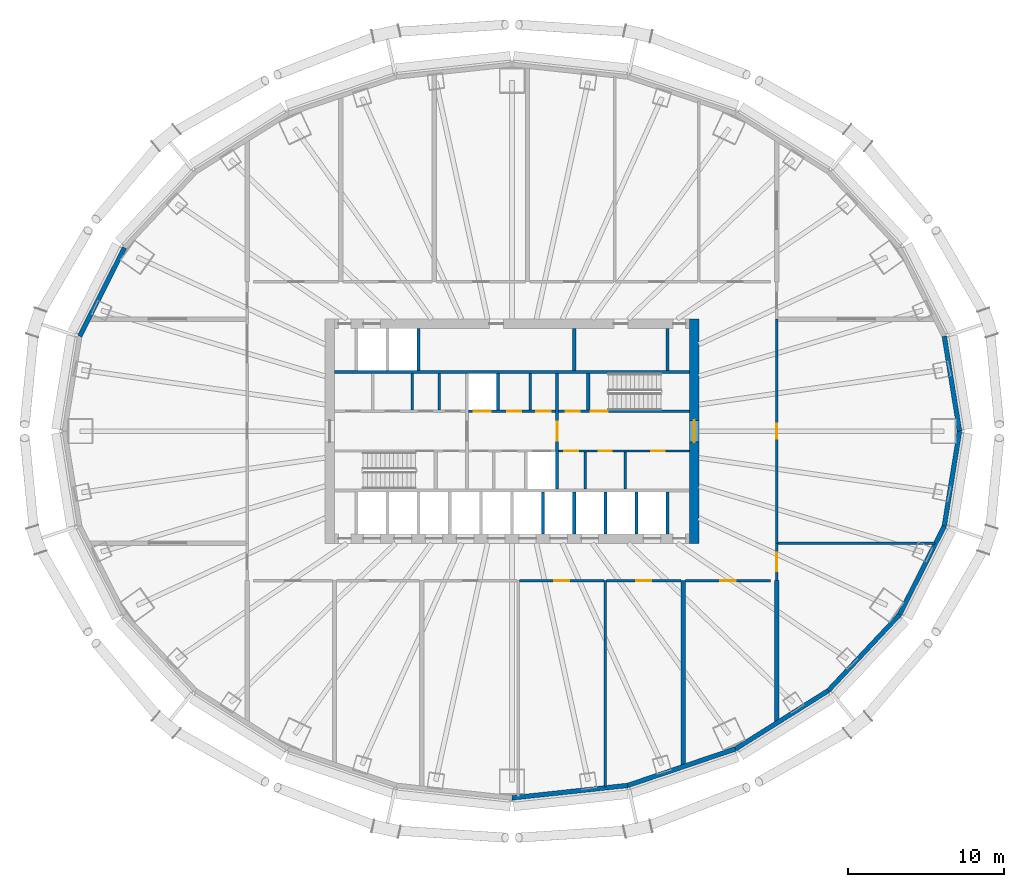
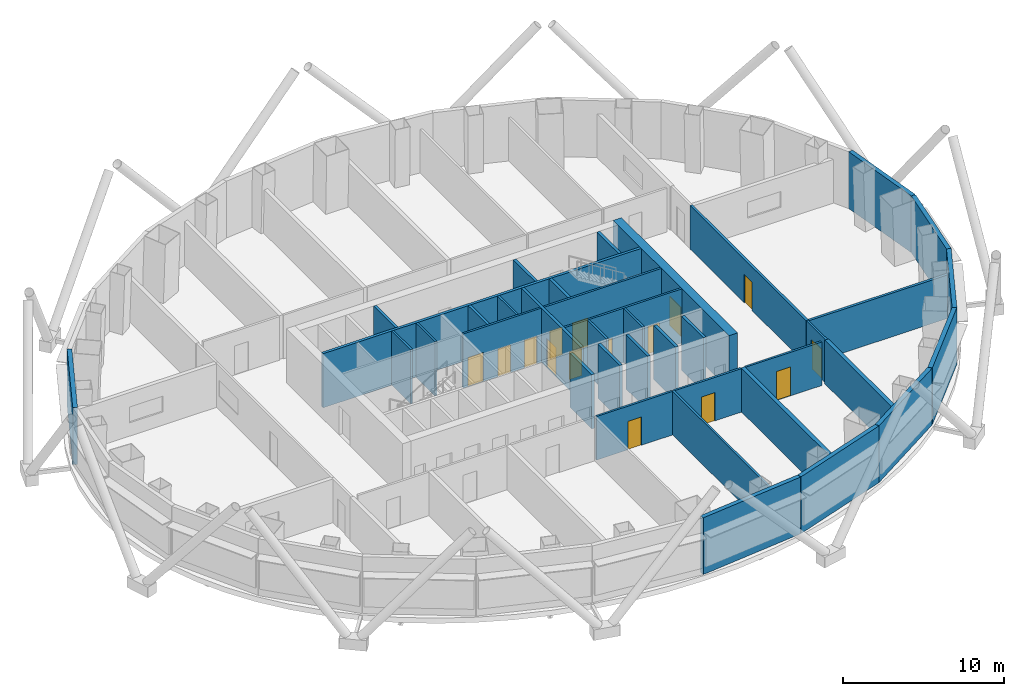
# One storey, part 5 of 14: 38 walls, 15 doors, 15 openings.
"""IFC4 building model written with IfcOpenShell, lengths in metres."""

from ifc_helpers import new_model, si_unit, direction, frame, frame_2d, origin, place, context, subcontext, project, spatial, rectangle, extrude, material, layer, layer_set, type_object, element, fill, save


model = new_model("IFC4")

# Units and contexts
model_context = context("Model", 3, precision=1e-05, world=origin(), true_north=direction((0.0, 1.0)))
body_context = subcontext(model_context, "Body", "Model", "MODEL_VIEW")
ifc_project = project(units=[si_unit("LENGTHUNIT", "METRE"), si_unit("AREAUNIT", "SQUARE_METRE"), si_unit("VOLUMEUNIT", "CUBIC_METRE"), si_unit("PLANEANGLEUNIT", "RADIAN"), si_unit("MASSUNIT", "GRAM", prefix="KILO")], contexts=[model_context])

# Site, building, storey
site_placement = place(None, origin())
site = spatial("IfcSite", under=ifc_project, at=site_placement, CompositionType="ELEMENT")
building_placement = place(site_placement, origin())
building = spatial("IfcBuilding", under=site, at=building_placement, Name="Siaravel Broadcast Tower", CompositionType="ELEMENT")
storey_placement = place(building_placement, frame((0.0, 0.0, 20.0)))
storey = spatial("IfcBuildingStorey", under=building, at=storey_placement, Name="L03", CompositionType="ELEMENT", Elevation=20.0)

# Walls
ifc_material_1 = material(Name="Double-leaf acoustic partition", Category="gypsum")
ifc_layer_1 = layer(ifc_material_1, 0.280029296875)
ifc_layer_set_1 = layer_set([ifc_layer_1], Name="Double-leaf acoustic partition")
wall_type_1 = type_object("IfcWallType", Name="Acoustic double-leaf wall 280", PredefinedType="PARTITIONING", material=ifc_layer_set_1)
wall_1_placement = place(storey_placement, frame((11.0, -21.56201171875, 0.0), z_axis=(0.0, 0.0, 1.0), x_axis=(0.0, 1.0, 0.0)))
element("IfcWall", 1, at=wall_1_placement, inside=storey, type_object=wall_type_1, Name="L03 partition 10", PredefinedType="PARTITIONING", context=body_context, shape_type="SweptSolid", body=[
    extrude(rectangle(XDim=11.9619140625, YDim=0.280029296875, at=frame_2d((5.98095703125, 0.0))), origin(), (0.0, 0.0, 1.0), 3.300048828125),
])
wall_2_placement = place(storey_placement, frame((17.0, -18.776611328125, 0.0), z_axis=(0.0, 0.0, 1.0), x_axis=(0.0, 1.0, 0.0)))
element("IfcWall", 2, at=wall_2_placement, inside=storey, type_object=wall_type_1, Name="L03 partition 17", PredefinedType="PARTITIONING", context=body_context, shape_type="SweptSolid", body=[
    extrude(rectangle(XDim=9.188720703125, YDim=0.280029296875, at=frame_2d((4.59423828125, 0.0))), origin(), (0.0, 0.0, 1.0), 3.300048828125),
])
ifc_material_2 = material(Name="Concrete C40/50", Category="concrete")
ifc_layer_2 = layer(ifc_material_2, 0.300048828125)
ifc_layer_set_2 = layer_set([ifc_layer_2], Name="Concrete C40/50")
wall_type_2 = type_object("IfcWallType", Name="Acoustic studio wall", PredefinedType="STANDARD", material=ifc_layer_set_2)
wall_3_placement = place(storey_placement, frame((28.74951171875, 0.0, 0.0), z_axis=(0.0, 0.0, 1.0), x_axis=(-0.15869942, 0.987326944, 0.0)))
element("IfcWall", 3, at=wall_3_placement, inside=storey, type_object=wall_type_2, Name="L03 studio acoustic wall 01", PredefinedType="STANDARD", context=body_context, shape_type="SweptSolid", body=[
    extrude(rectangle(XDim=6.17822265625, YDim=0.300048828125, at=frame_2d((3.089111328125, 0.0))), origin(), (0.0, 0.0, 1.0), 4.300048828125),
])
wall_4_placement = place(storey_placement, frame((-24.8955078125, 11.782958984375, 0.0), z_axis=(0.0, 0.0, 1.0), x_axis=(-0.451226804, -0.892409307, 0.0)))
element("IfcWall", 4, at=wall_4_placement, inside=storey, type_object=wall_type_2, Name="L03 studio acoustic wall 11", PredefinedType="STANDARD", context=body_context, shape_type="SweptSolid", body=[
    extrude(rectangle(XDim=6.3681640625, YDim=0.300048828125, at=frame_2d((3.18408203125, 0.0))), origin(), (0.0, 0.0, 1.0), 4.300048828125),
])
wall_5_placement = place(storey_placement, frame((0.0, -23.55810546875, 0.0), z_axis=(0.0, 0.0, 1.0), x_axis=(0.994234721, 0.10722555, 0.0)))
element("IfcWall", 5, at=wall_5_placement, inside=storey, type_object=wall_type_2, Name="L03 studio acoustic wall 19", PredefinedType="STANDARD", context=body_context, shape_type="SweptSolid", body=[
    extrude(rectangle(XDim=7.48193359375, YDim=0.300048828125, at=frame_2d((3.740966796875, 0.0))), origin(), (0.0, 0.0, 1.0), 4.300048828125),
])
wall_6_placement = place(storey_placement, frame((7.438720703125, -22.755859375, 0.0), z_axis=(0.0, 0.0, 1.0), x_axis=(0.946978882, 0.321295811, 0.0)))
element("IfcWall", 6, at=wall_6_placement, inside=storey, type_object=wall_type_2, Name="L03 studio acoustic wall 20", PredefinedType="STANDARD", context=body_context, shape_type="SweptSolid", body=[
    extrude(rectangle(XDim=7.320556640625, YDim=0.300048828125, at=frame_2d((3.66015625, 0.0))), origin(), (0.0, 0.0, 1.0), 4.300048828125),
])
wall_7_placement = place(storey_placement, frame((14.37109375, -20.40380859375, 0.0), z_axis=(0.0, 0.0, 1.0), x_axis=(0.846645934, 0.532156615, 0.0)))
element("IfcWall", 7, at=wall_7_placement, inside=storey, type_object=wall_type_2, Name="L03 studio acoustic wall 21", PredefinedType="STANDARD", context=body_context, shape_type="SweptSolid", body=[
    extrude(rectangle(XDim=7.032470703125, YDim=0.300048828125, at=frame_2d((3.51611328125, 0.0))), origin(), (0.0, 0.0, 1.0), 4.300048828125),
])
wall_8_placement = place(storey_placement, frame((20.3251953125, -16.661376953125, 0.0), z_axis=(0.0, 0.0, 1.0), x_axis=(0.683685967, 0.729776335, 0.0)))
element("IfcWall", 8, at=wall_8_placement, inside=storey, type_object=wall_type_2, Name="L03 studio acoustic wall 22", PredefinedType="STANDARD", context=body_context, shape_type="SweptSolid", body=[
    extrude(rectangle(XDim=6.684814453125, YDim=0.300048828125, at=frame_2d((3.34228515625, 0.0))), origin(), (0.0, 0.0, 1.0), 4.300048828125),
])
wall_9_placement = place(storey_placement, frame((24.8955078125, -11.782958984375, 0.0), z_axis=(0.0, 0.0, 1.0), x_axis=(0.451226804, 0.892409307, 0.0)))
element("IfcWall", 9, at=wall_9_placement, inside=storey, type_object=wall_type_2, Name="L03 studio acoustic wall 23", PredefinedType="STANDARD", context=body_context, shape_type="SweptSolid", body=[
    extrude(rectangle(XDim=6.3681640625, YDim=0.300048828125, at=frame_2d((3.18408203125, 0.0))), origin(), (0.0, 0.0, 1.0), 4.300048828125),
])
wall_10_placement = place(storey_placement, frame((27.76904296875, -6.099853515625, 0.0), z_axis=(0.0, 0.0, 1.0), x_axis=(0.15869942, 0.987326944, 0.0)))
element("IfcWall", 10, at=wall_10_placement, inside=storey, type_object=wall_type_2, Name="L03 studio acoustic wall 24", PredefinedType="STANDARD", context=body_context, shape_type="SweptSolid", body=[
    extrude(rectangle(XDim=6.17822265625, YDim=0.300048828125, at=frame_2d((3.089111328125, 0.0))), origin(), (0.0, 0.0, 1.0), 4.300048828125),
])
ifc_material_3 = material(Name="Concrete blockwork", Category="masonry")
ifc_layer_3 = layer(ifc_material_3, 0.14990234375)
ifc_layer_set_3 = layer_set([ifc_layer_3], Name="Concrete blockwork")
wall_type_3 = type_object("IfcWallType", Name="Core partition 150", PredefinedType="PARTITIONING", material=ifc_layer_set_3)
for number, where, z_axis, x_axis, name in (
    (11, (-6.405029296875, 1.35009765625, 0.0), (0.0, 0.0, 1.0), (0.0, 1.0, 0.0), "L03 core partition PNW1"),
    (12, (-4.6650390625, 1.35009765625, 0.0), (0.0, 0.0, 1.0), (0.0, 1.0, 0.0), "L03 core partition PNW2"),
    (13, (4.695068359375, -3.699951171875, 0.0), (0.0, 0.0, 1.0), (0.0, 1.0, 0.0), "L03 core partition PSE0"),
    (14, (7.27490234375, -3.699951171875, 0.0), (0.0, 0.0, 1.0), (0.0, 1.0, 0.0), "L03 core partition PSE1"),
    (15, (1.172607421875, 1.35009765625, 0.0), (0.0, 0.0, 1.0), (0.0, 1.0, 0.0), "L03 core partition PNM0"),
):
    element("IfcWall", number, at=place(storey_placement, frame(where, z_axis=z_axis, x_axis=x_axis)), inside=storey, type_object=wall_type_3, Name=name, PredefinedType="PARTITIONING", context=body_context, shape_type="SweptSolid", body=[
        extrude(rectangle(XDim=2.349853515625, YDim=0.14990234375, at=frame_2d((1.1748046875, 0.0))), origin(), (0.0, 0.0, 1.0), 4.10009765625),
    ])
ifc_layer_4 = layer(ifc_material_3, 0.199951171875)
ifc_layer_set_4 = layer_set([ifc_layer_4], Name="Concrete blockwork")
wall_type_4 = type_object("IfcWallType", Name="Core partition 200", PredefinedType="PARTITIONING", material=ifc_layer_set_4)
wall_11_placement = place(storey_placement, frame((4.0, 3.89990234375, 0.0), z_axis=(0.0, 0.0, 1.0), x_axis=(0.0, 1.0, 0.0)))
element("IfcWall", 16, at=wall_11_placement, inside=storey, type_object=wall_type_4, Name="L03 core partition PFN2", PredefinedType="PARTITIONING", context=body_context, shape_type="SweptSolid", body=[
    extrude(rectangle(XDim=2.7001953125, YDim=0.199951171875, at=frame_2d((1.35009765625, 0.0))), origin(), (0.0, 0.0, 1.0), 4.10009765625),
])

# Wall, opening, door
ifc_material_4 = material(Name="Concrete C60/75", Category="concrete")
ifc_layer_5 = layer(ifc_material_4, 0.60009765625)
ifc_layer_set_5 = layer_set([ifc_layer_5], Name="Concrete C60/75")
wall_type_5 = type_object("IfcWallType", Name="Core wall 600", PredefinedType="SHEAR", material=ifc_layer_set_5)
wall_12_placement = place(storey_placement, frame((11.699951171875, -7.199951171875, 0.0), z_axis=(0.0, 0.0, 1.0), x_axis=(0.0, 1.0, 0.0)))
wall_12 = element("IfcWall", 17, at=wall_12_placement, inside=storey, type_object=wall_type_5, Name="L03 core wall OE", PredefinedType="SHEAR", context=body_context, shape_type="SweptSolid", body=[
    extrude(rectangle(XDim=14.39990234375, YDim=0.60009765625, at=frame_2d((7.199951171875, 0.0))), origin(), (0.0, 0.0, 1.0), 4.10009765625),
])
opening_1_placement = place(wall_12_placement, frame((6.5, 0.0, 0.0)))
opening_1 = element("IfcOpeningElement", 18, at=opening_1_placement, cuts=wall_12, Name="Opening L03-DX-E", PredefinedType="OPENING", context=body_context, shape_type="SweptSolid", body=[
    extrude(rectangle(XDim=1.39990234375, YDim=2.199951171875, at=frame_2d((0.699951171875, 1.10009765625))), frame((0.0, 0.31005859375, 0.0), z_axis=(0.0, -1.0, 0.0), x_axis=(1.0, 0.0, 0.0)), (0.0, 0.0, 1.0), 0.6201171875),
])
ifc_material_5 = material(Name="Steel", Category="steel")
door_type_1 = type_object("IfcDoorType", Name="Core exit door 1400", OperationType="DOUBLE_DOOR_SINGLE_SWING", PredefinedType="DOOR", material=ifc_material_5)
door_1_placement = place(opening_1_placement, origin())
door_1 = element("IfcDoor", 19, at=door_1_placement, inside=storey, type_object=door_type_1, Name="L03 door DX-E", OperationType="DOUBLE_DOOR_SINGLE_SWING", OverallHeight=2.199951171875, OverallWidth=1.39990234375, PredefinedType="DOOR", context=body_context, shape_type="SweptSolid", body=[
    extrude(rectangle(XDim=1.39990234375, YDim=2.199951171875, at=frame_2d((0.699951171875, 1.10009765625))), frame((0.0, 0.02490234375, 0.0), z_axis=(0.0, -1.0, 0.0), x_axis=(1.0, 0.0, 0.0)), (0.0, 0.0, 1.0), 0.050048828125),
])
fill(opening_1, door_1)

# Wall, openings, doors
ifc_material_6 = material(Name="Gypsum board partition", Category="gypsum")
ifc_layer_6 = layer(ifc_material_6, 0.14990234375)
ifc_layer_set_6 = layer_set([ifc_layer_6], Name="Gypsum board partition")
wall_type_6 = type_object("IfcWallType", Name="Corridor wall 150", PredefinedType="PARTITIONING", material=ifc_layer_set_6)
wall_13_placement = place(storey_placement, frame((3.0, -1.27490234375, 0.0), z_axis=(0.0, 0.0, 1.0), x_axis=(1.0, 0.0, 0.0)))
wall_13 = element("IfcWall", 20, at=wall_13_placement, inside=storey, type_object=wall_type_6, Name="L03 core partition CSE", PredefinedType="PARTITIONING", context=body_context, shape_type="SweptSolid", body=[
    extrude(rectangle(XDim=8.39990234375, YDim=0.14990234375, at=frame_2d((4.199951171875, 0.0))), origin(), (0.0, 0.0, 1.0), 4.10009765625),
])
opening_2_placement = place(wall_13_placement, frame((0.360107421875, 0.0, 0.0)))
opening_2 = element("IfcOpeningElement", 21, at=opening_2_placement, cuts=wall_13, Name="Opening L03-DSE0", PredefinedType="OPENING", context=body_context, shape_type="SweptSolid", body=[
    extrude(rectangle(XDim=0.89990234375, YDim=2.10009765625, at=frame_2d((0.449951171875, 1.050048828125))), frame((0.0, 0.0849609375, 0.0), z_axis=(0.0, -1.0, 0.0), x_axis=(1.0, 0.0, 0.0)), (0.0, 0.0, 1.0), 0.169921875),
])
opening_3_placement = place(wall_13_placement, frame((2.56005859375, 0.0, 0.0)))
opening_3 = element("IfcOpeningElement", 22, at=opening_3_placement, cuts=wall_13, Name="Opening L03-DSE1", PredefinedType="OPENING", context=body_context, shape_type="SweptSolid", body=[
    extrude(rectangle(XDim=0.85009765625, YDim=2.10009765625, at=frame_2d((0.425048828125, 1.050048828125))), frame((0.0, 0.0849609375, 0.0), z_axis=(0.0, -1.0, 0.0), x_axis=(1.0, 0.0, 0.0)), (0.0, 0.0, 1.0), 0.169921875),
])
opening_4_placement = place(wall_13_placement, frame((5.949951171875, 0.0, 0.0)))
opening_4 = element("IfcOpeningElement", 23, at=opening_4_placement, cuts=wall_13, Name="Opening L03-DSE2", PredefinedType="OPENING", context=body_context, shape_type="SweptSolid", body=[
    extrude(rectangle(XDim=0.85009765625, YDim=2.10009765625, at=frame_2d((0.425048828125, 1.050048828125))), frame((0.0, 0.0849609375, 0.0), z_axis=(0.0, -1.0, 0.0), x_axis=(1.0, 0.0, 0.0)), (0.0, 0.0, 1.0), 0.169921875),
])
ifc_material_7 = material(Name="Timber veneer", Category="wood")
door_type_2 = type_object("IfcDoorType", Name="Core room door 900", OperationType="SINGLE_SWING_LEFT", PredefinedType="DOOR", material=ifc_material_7)
door_2_placement = place(opening_2_placement, origin())
door_2 = element("IfcDoor", 24, at=door_2_placement, inside=storey, type_object=door_type_2, Name="L03 door DSE0", OperationType="SINGLE_SWING_LEFT", OverallHeight=2.10009765625, OverallWidth=0.89990234375, PredefinedType="DOOR", context=body_context, shape_type="SweptSolid", body=[
    extrude(rectangle(XDim=0.89990234375, YDim=2.10009765625, at=frame_2d((0.449951171875, 1.050048828125))), frame((0.0, 0.02490234375, 0.0), z_axis=(0.0, -1.0, 0.0), x_axis=(1.0, 0.0, 0.0)), (0.0, 0.0, 1.0), 0.050048828125),
])
fill(opening_2, door_2)
door_type_3 = type_object("IfcDoorType", Name="Core toilet door 850", OperationType="SINGLE_SWING_LEFT", PredefinedType="DOOR", material=ifc_material_7)
door_3_placement = place(opening_3_placement, origin())
door_3 = element("IfcDoor", 25, at=door_3_placement, inside=storey, type_object=door_type_3, Name="L03 door DSE1", OperationType="SINGLE_SWING_LEFT", OverallHeight=2.10009765625, OverallWidth=0.85009765625, PredefinedType="DOOR", context=body_context, shape_type="SweptSolid", body=[
    extrude(rectangle(XDim=0.85009765625, YDim=2.10009765625, at=frame_2d((0.425048828125, 1.050048828125))), frame((0.0, 0.02490234375, 0.0), z_axis=(0.0, -1.0, 0.0), x_axis=(1.0, 0.0, 0.0)), (0.0, 0.0, 1.0), 0.050048828125),
])
fill(opening_3, door_3)
door_4_placement = place(opening_4_placement, origin())
door_4 = element("IfcDoor", 26, at=door_4_placement, inside=storey, type_object=door_type_3, Name="L03 door DSE2", OperationType="SINGLE_SWING_LEFT", OverallHeight=2.10009765625, OverallWidth=0.85009765625, PredefinedType="DOOR", context=body_context, shape_type="SweptSolid", body=[
    extrude(rectangle(XDim=0.85009765625, YDim=2.10009765625, at=frame_2d((0.425048828125, 1.050048828125))), frame((0.0, 0.02490234375, 0.0), z_axis=(0.0, -1.0, 0.0), x_axis=(1.0, 0.0, 0.0)), (0.0, 0.0, 1.0), 0.050048828125),
])
fill(opening_4, door_4)

# Wall, opening, door
wall_14_placement = place(storey_placement, frame((11.14208984375, -9.60009765625, 0.0), z_axis=(0.0, 0.0, 1.0), x_axis=(1.0, 0.0, 0.0)))
wall_14 = element("IfcWall", 27, at=wall_14_placement, inside=storey, type_object=wall_type_6, Name="L03 partition 25", PredefinedType="PARTITIONING", context=body_context, shape_type="SweptSolid", body=[
    extrude(rectangle(XDim=5.469970703125, YDim=0.14990234375, at=frame_2d((2.73486328125, 0.0))), origin(), (0.0, 0.0, 1.0), 3.300048828125),
])
opening_5_placement = place(wall_14_placement, frame((2.235107421875, 0.0, 0.0)))
opening_5 = element("IfcOpeningElement", 28, at=opening_5_placement, cuts=wall_14, Name="Opening L03-015", PredefinedType="OPENING", context=body_context, shape_type="SweptSolid", body=[
    extrude(rectangle(XDim=1.0, YDim=2.199951171875, at=frame_2d((0.5, 1.10009765625))), frame((0.0, 0.0849609375, 0.0), z_axis=(0.0, -1.0, 0.0), x_axis=(1.0, 0.0, 0.0)), (0.0, 0.0, 1.0), 0.169921875),
])
ifc_material_8 = material(Name="Acoustic timber and steel", Category="steel")
door_type_4 = type_object("IfcDoorType", Name="Acoustic door 1000", OperationType="SINGLE_SWING_LEFT", PredefinedType="DOOR", material=ifc_material_8)
door_5_placement = place(opening_5_placement, origin())
door_5 = element("IfcDoor", 29, at=door_5_placement, inside=storey, type_object=door_type_4, Name="L03 door to Edit suite", OperationType="SINGLE_SWING_LEFT", OverallHeight=2.199951171875, OverallWidth=1.0, PredefinedType="DOOR", context=body_context, shape_type="SweptSolid", body=[
    extrude(rectangle(XDim=1.0, YDim=2.199951171875, at=frame_2d((0.5, 1.10009765625))), frame((0.0, 0.02490234375, 0.0), z_axis=(0.0, -1.0, 0.0), x_axis=(1.0, 0.0, 0.0)), (0.0, 0.0, 1.0), 0.050048828125),
])
fill(opening_5, door_5)

wall_15_placement = place(storey_placement, frame((0.47705078125, -9.60009765625, 0.0), z_axis=(0.0, 0.0, 1.0), x_axis=(1.0, 0.0, 0.0)))
wall_15 = element("IfcWall", 30, at=wall_15_placement, inside=storey, type_object=wall_type_6, Name="L03 partition 27", PredefinedType="PARTITIONING", context=body_context, shape_type="SweptSolid", body=[
    extrude(rectangle(XDim=5.446044921875, YDim=0.14990234375, at=frame_2d((2.72314453125, 0.0))), origin(), (0.0, 0.0, 1.0), 3.300048828125),
])
opening_6_placement = place(wall_15_placement, frame((2.248046875, 0.0, 0.0)))
opening_6 = element("IfcOpeningElement", 31, at=opening_6_placement, cuts=wall_15, Name="Opening L03-013", PredefinedType="OPENING", context=body_context, shape_type="SweptSolid", body=[
    extrude(rectangle(XDim=0.949951171875, YDim=2.14990234375, at=frame_2d((0.47509765625, 1.074951171875))), frame((0.0, 0.0849609375, 0.0), z_axis=(0.0, -1.0, 0.0), x_axis=(1.0, 0.0, 0.0)), (0.0, 0.0, 1.0), 0.169921875),
])
door_type_5 = type_object("IfcDoorType", Name="Office door 950", OperationType="SINGLE_SWING_LEFT", PredefinedType="DOOR", material=ifc_material_7)
door_6_placement = place(opening_6_placement, origin())
door_6 = element("IfcDoor", 32, at=door_6_placement, inside=storey, type_object=door_type_5, Name="L03 door to Ingest room", OperationType="SINGLE_SWING_LEFT", OverallHeight=2.14990234375, OverallWidth=0.949951171875, PredefinedType="DOOR", context=body_context, shape_type="SweptSolid", body=[
    extrude(rectangle(XDim=0.949951171875, YDim=2.14990234375, at=frame_2d((0.47509765625, 1.074951171875))), frame((0.0, 0.02490234375, 0.0), z_axis=(0.0, -1.0, 0.0), x_axis=(1.0, 0.0, 0.0)), (0.0, 0.0, 1.0), 0.050048828125),
])
fill(opening_6, door_6)

wall_16_placement = place(storey_placement, frame((6.076904296875, -9.60009765625, 0.0), z_axis=(0.0, 0.0, 1.0), x_axis=(1.0, 0.0, 0.0)))
wall_16 = element("IfcWall", 33, at=wall_16_placement, inside=storey, type_object=wall_type_6, Name="L03 partition 31", PredefinedType="PARTITIONING", context=body_context, shape_type="SweptSolid", body=[
    extrude(rectangle(XDim=4.781005859375, YDim=0.14990234375, at=frame_2d((2.390625, 0.0))), origin(), (0.0, 0.0, 1.0), 3.300048828125),
])
opening_7_placement = place(wall_16_placement, frame((1.91552734375, 0.0, 0.0)))
opening_7 = element("IfcOpeningElement", 34, at=opening_7_placement, cuts=wall_16, Name="Opening L03-014", PredefinedType="OPENING", context=body_context, shape_type="SweptSolid", body=[
    extrude(rectangle(XDim=0.949951171875, YDim=2.14990234375, at=frame_2d((0.47509765625, 1.074951171875))), frame((0.0, 0.0849609375, 0.0), z_axis=(0.0, -1.0, 0.0), x_axis=(1.0, 0.0, 0.0)), (0.0, 0.0, 1.0), 0.169921875),
])
door_7_placement = place(opening_7_placement, origin())
door_7 = element("IfcDoor", 35, at=door_7_placement, inside=storey, type_object=door_type_5, Name="L03 door to Server room", OperationType="SINGLE_SWING_RIGHT", OverallHeight=2.14990234375, OverallWidth=0.949951171875, PredefinedType="DOOR", context=body_context, shape_type="SweptSolid", body=[
    extrude(rectangle(XDim=0.949951171875, YDim=2.14990234375, at=frame_2d((0.47509765625, 1.074951171875))), frame((0.0, 0.02490234375, 0.0), z_axis=(0.0, -1.0, 0.0), x_axis=(1.0, 0.0, 0.0)), (0.0, 0.0, 1.0), 0.050048828125),
])
fill(opening_7, door_7)

wall_17_placement = place(storey_placement, frame((17.0, -9.5869140625, 0.0), z_axis=(0.0, 0.0, 1.0), x_axis=(0.0, 1.0, 0.0)))
wall_17 = element("IfcWall", 36, at=wall_17_placement, inside=storey, type_object=wall_type_6, Name="L03 partition 35", PredefinedType="PARTITIONING", context=body_context, shape_type="SweptSolid", body=[
    extrude(rectangle(XDim=2.385986328125, YDim=0.14990234375, at=frame_2d((1.19287109375, 0.0))), origin(), (0.0, 0.0, 1.0), 3.300048828125),
])
opening_8_placement = place(wall_17_placement, frame((0.593017578125, 0.0, 0.0)))
opening_8 = element("IfcOpeningElement", 37, at=opening_8_placement, cuts=wall_17, Name="Opening L03-016", PredefinedType="OPENING", context=body_context, shape_type="SweptSolid", body=[
    extrude(rectangle(XDim=1.199951171875, YDim=2.199951171875, at=frame_2d((0.60009765625, 1.10009765625))), frame((0.0, 0.0849609375, 0.0), z_axis=(0.0, -1.0, 0.0), x_axis=(1.0, 0.0, 0.0)), (0.0, 0.0, 1.0), 0.169921875),
])
door_type_6 = type_object("IfcDoorType", Name="Office double door 1200", OperationType="DOUBLE_DOOR_SINGLE_SWING", PredefinedType="DOOR", material=ifc_material_7)
door_8_placement = place(opening_8_placement, origin())
door_8 = element("IfcDoor", 38, at=door_8_placement, inside=storey, type_object=door_type_6, Name="L03 door to Newsroom archive", OperationType="DOUBLE_DOOR_SINGLE_SWING", OverallHeight=2.199951171875, OverallWidth=1.199951171875, PredefinedType="DOOR", context=body_context, shape_type="SweptSolid", body=[
    extrude(rectangle(XDim=1.199951171875, YDim=2.199951171875, at=frame_2d((0.60009765625, 1.10009765625))), frame((0.0, 0.02490234375, 0.0), z_axis=(0.0, -1.0, 0.0), x_axis=(1.0, 0.0, 0.0)), (0.0, 0.0, 1.0), 0.050048828125),
])
fill(opening_8, door_8)

# Wall
ifc_layer_7 = layer(ifc_material_6, 0.14990234375)
ifc_layer_set_7 = layer_set([ifc_layer_7], Name="Gypsum board partition")
wall_type_7 = type_object("IfcWallType", Name="Room partition 150", PredefinedType="PARTITIONING", material=ifc_layer_set_7)
wall_18_placement = place(storey_placement, frame((6.0, -22.861083984375, 0.0), z_axis=(0.0, 0.0, 1.0), x_axis=(0.0, 1.0, 0.0)))
element("IfcWall", 39, at=wall_18_placement, inside=storey, type_object=wall_type_7, Name="L03 partition 7", PredefinedType="PARTITIONING", context=body_context, shape_type="SweptSolid", body=[
    extrude(rectangle(XDim=13.260986328125, YDim=0.14990234375, at=frame_2d((6.63037109375, 0.0))), origin(), (0.0, 0.0, 1.0), 3.300048828125),
])

# Wall, opening, door
ifc_layer_8 = layer(ifc_material_3, 0.179931640625)
ifc_layer_set_8 = layer_set([ifc_layer_8], Name="Concrete blockwork")
wall_type_8 = type_object("IfcWallType", Name="Service room fire partition 180", PredefinedType="PARTITIONING", material=ifc_layer_set_8)
wall_19_placement = place(storey_placement, frame((17.0, -7.199951171875, 0.0), z_axis=(0.0, 0.0, 1.0), x_axis=(0.0, 1.0, 0.0)))
wall_19 = element("IfcWall", 40, at=wall_19_placement, inside=storey, type_object=wall_type_8, Name="L03 partition 2", PredefinedType="PARTITIONING", context=body_context, shape_type="SweptSolid", body=[
    extrude(rectangle(XDim=14.39990234375, YDim=0.179931640625, at=frame_2d((7.199951171875, 0.0))), origin(), (0.0, 0.0, 1.0), 3.300048828125),
])
opening_9_placement = place(wall_19_placement, frame((6.72509765625, 0.0, 0.0)))
opening_9 = element("IfcOpeningElement", 41, at=opening_9_placement, cuts=wall_19, Name="Opening L03-017", PredefinedType="OPENING", context=body_context, shape_type="SweptSolid", body=[
    extrude(rectangle(XDim=0.949951171875, YDim=2.14990234375, at=frame_2d((0.47509765625, 1.074951171875))), frame((0.0, 0.099853515625, 0.0), z_axis=(0.0, -1.0, 0.0), x_axis=(1.0, 0.0, 0.0)), (0.0, 0.0, 1.0), 0.199951171875),
])
door_9_placement = place(opening_9_placement, origin())
door_9 = element("IfcDoor", 42, at=door_9_placement, inside=storey, type_object=door_type_5, Name="L03 door to Library store", OperationType="SINGLE_SWING_LEFT", OverallHeight=2.14990234375, OverallWidth=0.949951171875, PredefinedType="DOOR", context=body_context, shape_type="SweptSolid", body=[
    extrude(rectangle(XDim=0.949951171875, YDim=2.14990234375, at=frame_2d((0.47509765625, 1.074951171875))), frame((0.0, 0.02490234375, 0.0), z_axis=(0.0, -1.0, 0.0), x_axis=(1.0, 0.0, 0.0)), (0.0, 0.0, 1.0), 0.050048828125),
])
fill(opening_9, door_9)

# Wall
wall_20_placement = place(storey_placement, frame((27.162841796875, -7.199951171875, 0.0), z_axis=(0.0, 0.0, 1.0), x_axis=(-1.0, 0.0, 0.0)))
element("IfcWall", 43, at=wall_20_placement, inside=storey, type_object=wall_type_8, Name="L03 partition 15", PredefinedType="PARTITIONING", context=body_context, shape_type="SweptSolid", body=[
    extrude(rectangle(XDim=10.07080078125, YDim=0.179931640625, at=frame_2d((5.035400390625, 0.0))), origin(), (0.0, 0.0, 1.0), 3.300048828125),
])

# Wall, openings, doors
ifc_layer_9 = layer(ifc_material_4, 0.14990234375)
ifc_layer_set_9 = layer_set([ifc_layer_9], Name="Concrete C60/75")
wall_type_9 = type_object("IfcWallType", Name="Shaft wall 150", PredefinedType="SHEAR", material=ifc_layer_set_9)
wall_21_placement = place(storey_placement, frame((-2.800048828125, 1.27490234375, 0.0), z_axis=(0.0, 0.0, 1.0), x_axis=(1.0, 0.0, 0.0)))
wall_21 = element("IfcWall", 44, at=wall_21_placement, inside=storey, type_object=wall_type_9, Name="L03 core wall CNM", PredefinedType="SHEAR", context=body_context, shape_type="SweptSolid", body=[
    extrude(rectangle(XDim=5.60009765625, YDim=0.14990234375, at=frame_2d((2.800048828125, 0.0))), origin(), (0.0, 0.0, 1.0), 4.10009765625),
])
opening_10_placement = place(wall_21_placement, frame((0.35009765625, 0.0, 0.0)))
opening_10 = element("IfcOpeningElement", 45, at=opening_10_placement, cuts=wall_21, Name="Opening LD-FL1-L03", PredefinedType="OPENING", context=body_context, shape_type="SweptSolid", body=[
    extrude(rectangle(XDim=1.10009765625, YDim=2.199951171875, at=frame_2d((0.550048828125, 1.10009765625))), frame((0.0, 0.0849609375, 0.0), z_axis=(0.0, -1.0, 0.0), x_axis=(1.0, 0.0, 0.0)), (0.0, 0.0, 1.0), 0.169921875),
])
opening_11_placement = place(wall_21_placement, frame((2.498779296875, 0.0, 0.0)))
opening_11 = element("IfcOpeningElement", 46, at=opening_11_placement, cuts=wall_21, Name="Opening L03-DNM0", PredefinedType="OPENING", context=body_context, shape_type="SweptSolid", body=[
    extrude(rectangle(XDim=0.89990234375, YDim=2.10009765625, at=frame_2d((0.449951171875, 1.050048828125))), frame((0.0, 0.0849609375, 0.0), z_axis=(0.0, -1.0, 0.0), x_axis=(1.0, 0.0, 0.0)), (0.0, 0.0, 1.0), 0.169921875),
])
opening_12_placement = place(wall_21_placement, frame((4.373779296875, 0.0, 0.0)))
opening_12 = element("IfcOpeningElement", 47, at=opening_12_placement, cuts=wall_21, Name="Opening L03-DNM1", PredefinedType="OPENING", context=body_context, shape_type="SweptSolid", body=[
    extrude(rectangle(XDim=0.89990234375, YDim=2.10009765625, at=frame_2d((0.449951171875, 1.050048828125))), frame((0.0, 0.0849609375, 0.0), z_axis=(0.0, -1.0, 0.0), x_axis=(1.0, 0.0, 0.0)), (0.0, 0.0, 1.0), 0.169921875),
])
door_10_placement = place(opening_11_placement, origin())
door_10 = element("IfcDoor", 48, at=door_10_placement, inside=storey, type_object=door_type_2, Name="L03 door DNM0", OperationType="SINGLE_SWING_LEFT", OverallHeight=2.10009765625, OverallWidth=0.89990234375, PredefinedType="DOOR", context=body_context, shape_type="SweptSolid", body=[
    extrude(rectangle(XDim=0.89990234375, YDim=2.10009765625, at=frame_2d((0.449951171875, 1.050048828125))), frame((0.0, 0.02490234375, 0.0), z_axis=(0.0, -1.0, 0.0), x_axis=(1.0, 0.0, 0.0)), (0.0, 0.0, 1.0), 0.050048828125),
])
fill(opening_11, door_10)
door_11_placement = place(opening_12_placement, origin())
door_11 = element("IfcDoor", 49, at=door_11_placement, inside=storey, type_object=door_type_2, Name="L03 door DNM1", OperationType="SINGLE_SWING_LEFT", OverallHeight=2.10009765625, OverallWidth=0.89990234375, PredefinedType="DOOR", context=body_context, shape_type="SweptSolid", body=[
    extrude(rectangle(XDim=0.89990234375, YDim=2.10009765625, at=frame_2d((0.449951171875, 1.050048828125))), frame((0.0, 0.02490234375, 0.0), z_axis=(0.0, -1.0, 0.0), x_axis=(1.0, 0.0, 0.0)), (0.0, 0.0, 1.0), 0.050048828125),
])
fill(opening_12, door_11)
ifc_material_9 = material(Name="Stainless steel 316L", Category="steel")
door_type_7 = type_object("IfcDoorType", Name="Firefighting lift landing door 1100", OperationType="DOUBLE_DOOR_SLIDING", PredefinedType="DOOR", material=ifc_material_9)
door_12_placement = place(opening_10_placement, origin())
door_12 = element("IfcDoor", 50, at=door_12_placement, inside=storey, type_object=door_type_7, Name="Landing door FL1 L03", OperationType="DOUBLE_DOOR_SLIDING", OverallHeight=2.199951171875, OverallWidth=1.10009765625, PredefinedType="DOOR", context=body_context, shape_type="SweptSolid", body=[
    extrude(rectangle(XDim=1.10009765625, YDim=2.199951171875, at=frame_2d((0.550048828125, 1.10009765625))), frame((0.0, 0.02490234375, 0.0), z_axis=(0.0, -1.0, 0.0), x_axis=(1.0, 0.0, 0.0)), (0.0, 0.0, 1.0), 0.050048828125),
])
fill(opening_10, door_12)

wall_22_placement = place(storey_placement, frame((3.0, 1.27490234375, 0.0), z_axis=(0.0, 0.0, 1.0), x_axis=(1.0, 0.0, 0.0)))
wall_22 = element("IfcWall", 51, at=wall_22_placement, inside=storey, type_object=wall_type_9, Name="L03 core wall CNE", PredefinedType="SHEAR", context=body_context, shape_type="SweptSolid", body=[
    extrude(rectangle(XDim=8.39990234375, YDim=0.14990234375, at=frame_2d((4.199951171875, 0.0))), origin(), (0.0, 0.0, 1.0), 4.10009765625),
])
opening_13_placement = place(wall_22_placement, frame((2.050048828125, 0.0, 0.0)))
opening_13 = element("IfcOpeningElement", 52, at=opening_13_placement, cuts=wall_22, Name="Opening L03-DS-2", PredefinedType="OPENING", context=body_context, shape_type="SweptSolid", body=[
    extrude(rectangle(XDim=1.10009765625, YDim=2.14990234375, at=frame_2d((0.550048828125, 1.074951171875))), frame((0.0, 0.0849609375, 0.0), z_axis=(0.0, -1.0, 0.0), x_axis=(1.0, 0.0, 0.0)), (0.0, 0.0, 1.0), 0.169921875),
])
opening_14_placement = place(wall_22_placement, frame((0.449951171875, 0.0, 0.0)))
opening_14 = element("IfcOpeningElement", 53, at=opening_14_placement, cuts=wall_22, Name="Opening L03-DNE0", PredefinedType="OPENING", context=body_context, shape_type="SweptSolid", body=[
    extrude(rectangle(XDim=0.89990234375, YDim=2.10009765625, at=frame_2d((0.449951171875, 1.050048828125))), frame((0.0, 0.0849609375, 0.0), z_axis=(0.0, -1.0, 0.0), x_axis=(1.0, 0.0, 0.0)), (0.0, 0.0, 1.0), 0.169921875),
])
door_13_placement = place(opening_14_placement, origin())
door_13 = element("IfcDoor", 54, at=door_13_placement, inside=storey, type_object=door_type_2, Name="L03 door DNE0", OperationType="SINGLE_SWING_LEFT", OverallHeight=2.10009765625, OverallWidth=0.89990234375, PredefinedType="DOOR", context=body_context, shape_type="SweptSolid", body=[
    extrude(rectangle(XDim=0.89990234375, YDim=2.10009765625, at=frame_2d((0.449951171875, 1.050048828125))), frame((0.0, 0.02490234375, 0.0), z_axis=(0.0, -1.0, 0.0), x_axis=(1.0, 0.0, 0.0)), (0.0, 0.0, 1.0), 0.050048828125),
])
fill(opening_14, door_13)
door_type_8 = type_object("IfcDoorType", Name="Stair door 1100", OperationType="SINGLE_SWING_LEFT", PredefinedType="DOOR", material=ifc_material_5)
door_14_placement = place(opening_13_placement, origin())
door_14 = element("IfcDoor", 55, at=door_14_placement, inside=storey, type_object=door_type_8, Name="L03 door DS-2", OperationType="SINGLE_SWING_LEFT", OverallHeight=2.14990234375, OverallWidth=1.10009765625, PredefinedType="DOOR", context=body_context, shape_type="SweptSolid", body=[
    extrude(rectangle(XDim=1.10009765625, YDim=2.14990234375, at=frame_2d((0.550048828125, 1.074951171875))), frame((0.0, 0.02490234375, 0.0), z_axis=(0.0, -1.0, 0.0), x_axis=(1.0, 0.0, 0.0)), (0.0, 0.0, 1.0), 0.050048828125),
])
fill(opening_13, door_14)

# Walls
ifc_layer_10 = layer(ifc_material_4, 0.199951171875)
ifc_layer_set_10 = layer_set([ifc_layer_10], Name="Concrete C60/75")
wall_type_10 = type_object("IfcWallType", Name="Shaft wall 200", PredefinedType="SHEAR", material=ifc_layer_set_10)
wall_23_placement = place(storey_placement, frame((-11.39990234375, 3.800048828125, 0.0), z_axis=(0.0, 0.0, 1.0), x_axis=(1.0, 0.0, 0.0)))
element("IfcWall", 56, at=wall_23_placement, inside=storey, type_object=wall_type_10, Name="L03 core wall BN", PredefinedType="SHEAR", context=body_context, shape_type="SweptSolid", body=[
    extrude(rectangle(XDim=22.7998046875, YDim=0.199951171875, at=frame_2d((11.39990234375, 0.0))), origin(), (0.0, 0.0, 1.0), 4.10009765625),
])
for number, where, z_axis, x_axis, name in (
    (57, (2.0, -6.60009765625, 0.0), (0.0, 0.0, 1.0), (0.0, 1.0, 0.0), "L03 core wall SWS6"),
    (58, (4.0, -6.60009765625, 0.0), (0.0, 0.0, 1.0), (0.0, 1.0, 0.0), "L03 core wall SWS7"),
    (59, (6.0, -6.60009765625, 0.0), (0.0, 0.0, 1.0), (0.0, 1.0, 0.0), "L03 core wall SWS8"),
    (60, (8.0, -6.60009765625, 0.0), (0.0, 0.0, 1.0), (0.0, 1.0, 0.0), "L03 core wall SWS9"),
    (61, (10.0, -6.60009765625, 0.0), (0.0, 0.0, 1.0), (0.0, 1.0, 0.0), "L03 core wall SWS10"),
    (62, (-6.0, 3.89990234375, 0.0), (0.0, 0.0, 1.0), (0.0, 1.0, 0.0), "L03 core wall SWN2"),
    (63, (10.0, 3.89990234375, 0.0), (0.0, 0.0, 1.0), (0.0, 1.0, 0.0), "L03 core wall SWN10"),
):
    element("IfcWall", number, at=place(storey_placement, frame(where, z_axis=z_axis, x_axis=x_axis)), inside=storey, type_object=wall_type_10, Name=name, PredefinedType="SHEAR", context=body_context, shape_type="SweptSolid", body=[
        extrude(rectangle(XDim=2.7001953125, YDim=0.199951171875, at=frame_2d((1.35009765625, 0.0))), origin(), (0.0, 0.0, 1.0), 4.10009765625),
    ])

# Wall, opening, door
wall_24_placement = place(storey_placement, frame((2.89990234375, -3.699951171875, 0.0), z_axis=(0.0, 0.0, 1.0), x_axis=(0.0, 1.0, 0.0)))
wall_24 = element("IfcWall", 64, at=wall_24_placement, inside=storey, type_object=wall_type_10, Name="L03 core wall LE", PredefinedType="SHEAR", context=body_context, shape_type="SweptSolid", body=[
    extrude(rectangle(XDim=7.39990234375, YDim=0.199951171875, at=frame_2d((3.699951171875, 0.0))), origin(), (0.0, 0.0, 1.0), 4.10009765625),
])
opening_15_placement = place(wall_24_placement, frame((3.10009765625, 0.0, 0.0)))
opening_15 = element("IfcOpeningElement", 65, at=opening_15_placement, cuts=wall_24, Name="Opening L03-DL-E", PredefinedType="OPENING", context=body_context, shape_type="SweptSolid", body=[
    extrude(rectangle(XDim=1.199951171875, YDim=2.199951171875, at=frame_2d((0.60009765625, 1.10009765625))), frame((0.0, 0.10986328125, 0.0), z_axis=(0.0, -1.0, 0.0), x_axis=(1.0, 0.0, 0.0)), (0.0, 0.0, 1.0), 0.219970703125),
])
door_type_9 = type_object("IfcDoorType", Name="Firefighting lobby door 1200", OperationType="SINGLE_SWING_LEFT", PredefinedType="DOOR", material=ifc_material_5)
door_15_placement = place(opening_15_placement, origin())
door_15 = element("IfcDoor", 66, at=door_15_placement, inside=storey, type_object=door_type_9, Name="L03 door DL-E", OperationType="SINGLE_SWING_LEFT", OverallHeight=2.199951171875, OverallWidth=1.199951171875, PredefinedType="DOOR", context=body_context, shape_type="SweptSolid", body=[
    extrude(rectangle(XDim=1.199951171875, YDim=2.199951171875, at=frame_2d((0.60009765625, 1.10009765625))), frame((0.0, 0.02490234375, 0.0), z_axis=(0.0, -1.0, 0.0), x_axis=(1.0, 0.0, 0.0)), (0.0, 0.0, 1.0), 0.050048828125),
])
fill(opening_15, door_15)

# Walls
for number, where, z_axis, x_axis, name in (
    (67, (-0.89990234375, 1.35009765625, 0.0), (0.0, 0.0, 1.0), (0.0, 1.0, 0.0), "L03 core wall FF1E"),
    (68, (4.89990234375, 1.35009765625, 0.0), (0.0, 0.0, 1.0), (0.0, 1.0, 0.0), "L03 core wall ST2W"),
):
    element("IfcWall", number, at=place(storey_placement, frame(where, z_axis=z_axis, x_axis=x_axis)), inside=storey, type_object=wall_type_10, Name=name, PredefinedType="SHEAR", context=body_context, shape_type="SweptSolid", body=[
        extrude(rectangle(XDim=2.349853515625, YDim=0.199951171875, at=frame_2d((1.1748046875, 0.0))), origin(), (0.0, 0.0, 1.0), 4.10009765625),
    ])

save(model, "model.ifc")
